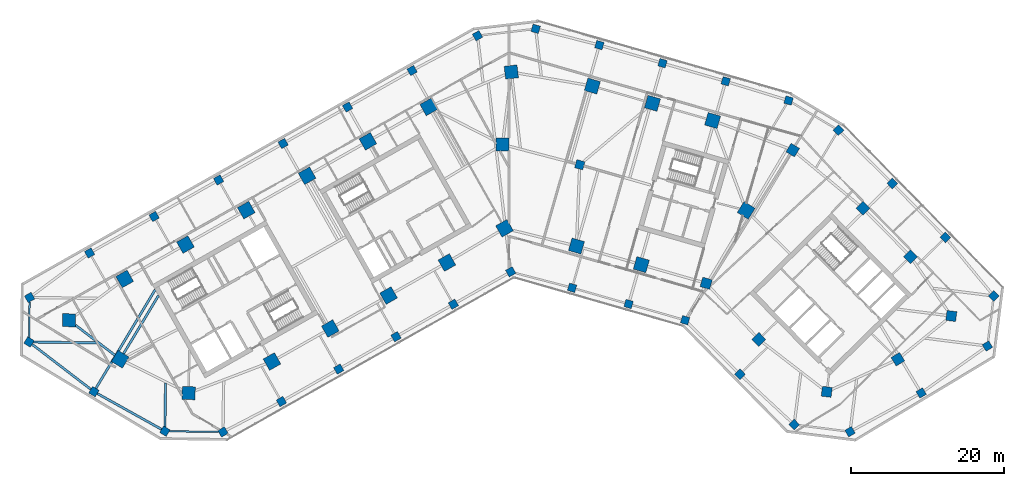
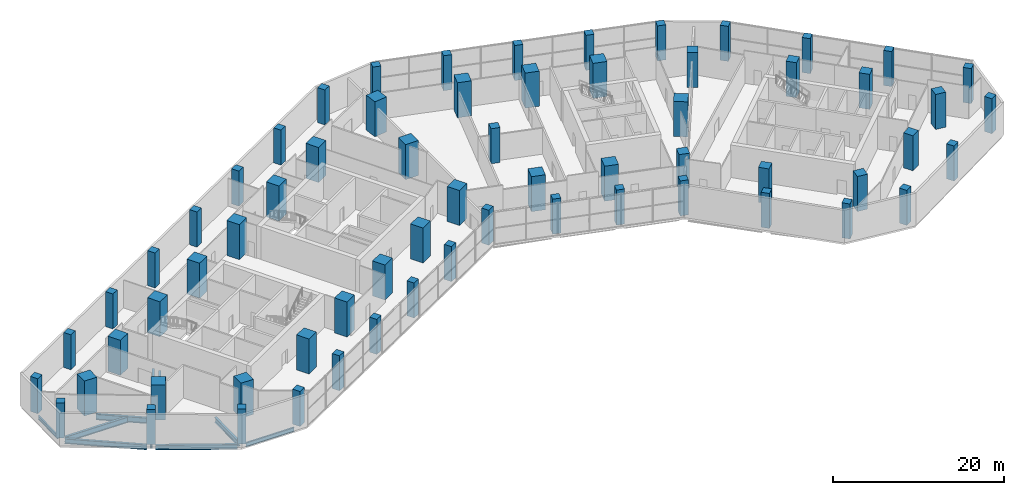
# One storey, part 1 of 18: 65 columns, 9 beams.
"""IFC4 building model written with IfcOpenShell, lengths in metres."""

from ifc_helpers import new_model, si_unit, direction, frame, origin, origin_2d, place, context, subcontext, project, spatial, rectangle, i_section, extrude, material, material_profile, profile_set, type_object, element, save


model = new_model("IFC4")

# Units and contexts
model_context = context("Model", 3, precision=1e-05, world=origin(), true_north=direction((0.0, 1.0)))
body_context = subcontext(model_context, "Body", "Model", "MODEL_VIEW")
ifc_project = project(units=[si_unit("LENGTHUNIT", "METRE"), si_unit("AREAUNIT", "SQUARE_METRE"), si_unit("VOLUMEUNIT", "CUBIC_METRE"), si_unit("PLANEANGLEUNIT", "RADIAN"), si_unit("MASSUNIT", "GRAM", prefix="KILO")], contexts=[model_context])

# Site, building, storey
site_placement = place(None, origin())
site = spatial("IfcSite", under=ifc_project, at=site_placement, CompositionType="ELEMENT")
building_placement = place(site_placement, origin())
building = spatial("IfcBuilding", under=site, at=building_placement, Name="Binnacle Exchange Tower", CompositionType="ELEMENT")
storey_placement = place(building_placement, frame((0.0, 0.0, 11.5)))
storey = spatial("IfcBuildingStorey", under=building, at=storey_placement, Name="L02", CompositionType="ELEMENT", Elevation=11.5)

# Columns
ifc_material_1 = material(Name="Concrete C60/75", Category="concrete")
ifc_material_profile_1 = material_profile(ifc_material_1, rectangle(XDim=1.10009765625, YDim=1.10009765625, at=origin_2d()), Name="Column 1100x1100 C60/75")
ifc_profile_set_1 = profile_set([ifc_material_profile_1], Name="Concrete C60/75")
column_type_1 = type_object("IfcColumnType", Name="Column 1100x1100 C60/75", PredefinedType="COLUMN", material=ifc_profile_set_1)
column_placement = place(storey_placement, frame((9.240966796875, 57.35009765625, 0.0), z_axis=(0.0, 0.0, 1.0), x_axis=(0.961261695938, -0.275637355817, 0.0)))
element("IfcColumn", 1, at=column_placement, inside=storey, type_object=column_type_1, Name="S:COL:C19:L02", PredefinedType="COLUMN", context=body_context, shape_type="SweptSolid", body=[
    extrude(rectangle(XDim=1.10009765625, YDim=1.10009765625, at=origin_2d()), origin(), (0.0, 0.0, 1.0), 5.0),
])
ifc_material_2 = material(Name="Concrete C70/85", Category="concrete")
ifc_material_profile_2 = material_profile(ifc_material_2, rectangle(XDim=1.300048828125, YDim=1.300048828125, at=origin_2d()), Name="Mega column 1300x1300 C70/85")
ifc_profile_set_2 = profile_set([ifc_material_profile_2], Name="Concrete C70/85")
column_type_2 = type_object("IfcColumnType", Name="Mega column 1300x1300 C70/85", PredefinedType="COLUMN", material=ifc_profile_set_2)
for number, where, z_axis, x_axis, name in (
    (2, (37.0849609375, 59.262451171875, 0.0), (0.0, 0.0, 1.0), (-0.859406411501, 0.511293086077, 0.0), "S:COL:MC57:L02"),
    (3, (25.766845703125, 41.85986328125, 0.0), (0.0, 0.0, 1.0), (0.961261695938, -0.275637355817, 0.0), "S:COL:MC56:L02"),
    (4, (32.64111328125, 34.530029296875, 0.0), (0.0, 0.0, 1.0), (0.7009092643, -0.713250449154, 0.0), "S:COL:MC59:L02"),
    (5, (41.519775390625, 27.6748046875, 0.0), (0.0, 0.0, 1.0), (0.99200494968, -0.126198969136, 0.0), "S:COL:MC61:L02"),
    (6, (50.81201171875, 31.930908203125, 0.0), (0.0, 0.0, 1.0), (0.857167300702, 0.51503807491, 0.0), "S:COL:MC63:L02"),
    (7, (57.799072265625, 37.5810546875, 0.0), (0.0, 0.0, 1.0), (0.126198969136, 0.99200494968, 0.0), "S:COL:MC62:L02"),
    (8, (52.466796875, 45.33935546875, 0.0), (0.0, 0.0, 1.0), (-0.7009092643, 0.713250449154, 0.0), "S:COL:MC60:L02"),
    (9, (46.248291015625, 51.667236328125, 0.0), (0.0, 0.0, 1.0), (-0.7009092643, 0.713250449154, 0.0), "S:COL:MC58:L02"),
):
    element("IfcColumn", number, at=place(storey_placement, frame(where, z_axis=z_axis, x_axis=x_axis)), inside=storey, type_object=column_type_2, Name=name, PredefinedType="COLUMN", context=body_context, shape_type="SweptSolid", body=[
        extrude(rectangle(XDim=1.300048828125, YDim=1.300048828125, at=origin_2d()), origin(), (0.0, 0.0, 1.0), 5.0),
    ])
ifc_material_profile_3 = material_profile(ifc_material_2, rectangle(XDim=1.699951171875, YDim=1.699951171875, at=origin_2d()), Name="Mega column 1700x1700 C70/85")
ifc_profile_set_3 = profile_set([ifc_material_profile_3], Name="Concrete C70/85")
column_type_3 = type_object("IfcColumnType", Name="Mega column 1700x1700 C70/85", PredefinedType="COLUMN", material=ifc_profile_set_3)
for number, where, z_axis, x_axis, name in (
    (10, (26.602783203125, 63.12353515625, 0.0), (0.0, 0.0, 1.0), (-0.961261695938, 0.275637355817, 0.0), "S:COL:MC52:L02"),
    (11, (18.746337890625, 65.376220703125, 0.0), (0.0, 0.0, 1.0), (-0.961261695938, 0.275637355817, 0.0), "S:COL:MC50:L02"),
    (12, (10.889892578125, 67.62890625, 0.0), (0.0, 0.0, 1.0), (-0.961261695938, 0.275637355817, 0.0), "S:COL:MC48:L02"),
    (13, (0.300048828125, 69.464111328125, 0.0), (0.0, 0.0, 1.0), (-0.993068456955, -0.117537397458, 0.0), "S:COL:MC47:L02"),
    (14, (-10.4951171875, 64.901611328125, 0.0), (0.0, 0.0, 1.0), (-0.87035569594, -0.492423560103, 0.0), "S:COL:MC38:L02"),
    (15, (-18.44140625, 60.406005859375, 0.0), (0.0, 0.0, 1.0), (-0.87035569594, -0.492423560103, 0.0), "S:COL:MC29:L02"),
    (16, (-26.3876953125, 55.91015625, 0.0), (0.0, 0.0, 1.0), (-0.87035569594, -0.492423560103, 0.0), "S:COL:MC21:L02"),
    (17, (-34.333740234375, 51.414306640625, 0.0), (0.0, 0.0, 1.0), (-0.87035569594, -0.492423560103, 0.0), "S:COL:MC13:L02"),
    (18, (-42.280029296875, 46.918701171875, 0.0), (0.0, 0.0, 1.0), (-0.87035569594, -0.492423560103, 0.0), "S:COL:MC08:L02"),
    (19, (-50.226318359375, 42.4228515625, 0.0), (0.0, 0.0, 1.0), (-0.87035569594, -0.492423560103, 0.0), "S:COL:MC04:L02"),
    (20, (-57.492919921875, 37.02734375, 0.0), (0.0, 0.0, 1.0), (-0.013089595571, -0.999914327574, 0.0), "S:COL:MC02:L02"),
    (21, (-50.81201171875, 31.930908203125, 0.0), (0.0, 0.0, 1.0), (0.857167300702, -0.51503807491, 0.0), "S:COL:MC01:L02"),
    (22, (-41.857666015625, 27.494873046875, 0.0), (0.0, 0.0, 1.0), (0.999914327574, -0.013089595571, 0.0), "S:COL:MC03:L02"),
    (23, (-30.9755859375, 31.63525390625, 0.0), (0.0, 0.0, 1.0), (0.87035569594, 0.492423560103, 0.0), "S:COL:MC07:L02"),
    (24, (-23.35595703125, 35.9462890625, 0.0), (0.0, 0.0, 1.0), (0.87035569594, 0.492423560103, 0.0), "S:COL:MC16:L02"),
    (25, (-15.736328125, 40.257080078125, 0.0), (0.0, 0.0, 1.0), (0.87035569594, 0.492423560103, 0.0), "S:COL:MC24:L02"),
    (26, (-8.116943359375, 44.568115234375, 0.0), (0.0, 0.0, 1.0), (0.87035569594, 0.492423560103, 0.0), "S:COL:MC35:L02"),
    (27, (-0.5908203125, 49.04443359375, 0.0), (0.0, 0.0, 1.0), (0.87035569594, 0.492423560103, 0.0), "S:COL:MC46:L02"),
    (28, (8.8095703125, 46.722412109375, 0.0), (0.0, 0.0, 1.0), (0.961261695938, -0.275637355817, 0.0), "S:COL:MC49:L02"),
    (29, (17.2880859375, 44.291015625, 0.0), (0.0, 0.0, 1.0), (0.961261695938, -0.275637355817, 0.0), "S:COL:MC51:L02"),
    (30, (30.989501953125, 51.38623046875, 0.0), (0.0, 0.0, 1.0), (0.529919264233, 0.848048096156, 0.0), "S:COL:MC55:L02"),
    (31, (-0.85009765625, 60.0, 0.0), (0.0, 0.0, 1.0), (0.0, 1.0, 0.0), "S:COL:MC45:L02"),
):
    element("IfcColumn", number, at=place(storey_placement, frame(where, z_axis=z_axis, x_axis=x_axis)), inside=storey, type_object=column_type_3, Name=name, PredefinedType="COLUMN", context=body_context, shape_type="SweptSolid", body=[
        extrude(rectangle(XDim=1.699951171875, YDim=1.699951171875, at=origin_2d()), origin(), (0.0, 0.0, 1.0), 5.0),
    ])
ifc_material_3 = material(Name="Concrete C50/60", Category="concrete")
ifc_material_profile_4 = material_profile(ifc_material_3, rectangle(XDim=1.0, YDim=1.0, at=origin_2d()), Name="Podium column 1000x1000 C50/60")
ifc_profile_set_4 = profile_set([ifc_material_profile_4], Name="Concrete C50/60")
column_type_4 = type_object("IfcColumnType", Name="Podium column 1000x1000 C50/60", PredefinedType="COLUMN", material=ifc_profile_set_4)
for number, where, z_axis, x_axis, name in (
    (32, (36.5283203125, 65.739013671875, 0.0), (0.0, 0.0, 1.0), (-0.961261695938, 0.275637355817, 0.0), "S:COL:C25:L02"),
    (33, (28.31591796875, 68.249755859375, 0.0), (0.0, 0.0, 1.0), (-0.961261695938, 0.275637355817, 0.0), "S:COL:C24:L02"),
    (34, (20.0625, 70.616455078125, 0.0), (0.0, 0.0, 1.0), (-0.961261695938, 0.275637355817, 0.0), "S:COL:C22:L02"),
    (35, (11.808837890625, 72.983154296875, 0.0), (0.0, 0.0, 1.0), (-0.961261695938, 0.275637355817, 0.0), "S:COL:C20:L02"),
    (36, (3.486083984375, 75.109619140625, 0.0), (0.0, 0.0, 1.0), (-0.961261695938, 0.275637355817, 0.0), "S:COL:C18:L02"),
    (37, (-4.115966796875, 74.209716796875, 0.0), (0.0, 0.0, 1.0), (-0.87035569594, -0.492423560103, 0.0), "S:COL:C16:L02"),
    (38, (-12.66748046875, 69.65869140625, 0.0), (0.0, 0.0, 1.0), (-0.87035569594, -0.492423560103, 0.0), "S:COL:C15:L02"),
    (39, (-21.095703125, 64.89013671875, 0.0), (0.0, 0.0, 1.0), (-0.87035569594, -0.492423560103, 0.0), "S:COL:C13:L02"),
    (40, (-29.524169921875, 60.12158203125, 0.0), (0.0, 0.0, 1.0), (-0.87035569594, -0.492423560103, 0.0), "S:COL:C11:L02"),
    (41, (-37.95263671875, 55.35302734375, 0.0), (0.0, 0.0, 1.0), (-0.87035569594, -0.492423560103, 0.0), "S:COL:C10:L02"),
    (42, (-46.381103515625, 50.58447265625, 0.0), (0.0, 0.0, 1.0), (-0.87035569594, -0.492423560103, 0.0), "S:COL:C08:L02"),
    (43, (-54.8095703125, 45.81591796875, 0.0), (0.0, 0.0, 1.0), (-0.87035569594, -0.492423560103, 0.0), "S:COL:C06:L02"),
    (44, (-62.64697265625, 40.0029296875, 0.0), (0.0, 0.0, 1.0), (-0.87035569594, -0.492423560103, 0.0), "S:COL:C05:L02"),
    (45, (-62.722900390625, 34.18798828125, 0.0), (0.0, 0.0, 1.0), (0.857167300702, -0.51503807491, 0.0), "S:COL:C03:L02"),
    (46, (-54.244873046875, 27.69384765625, 0.0), (0.0, 0.0, 1.0), (0.857167300702, -0.51503807491, 0.0), "S:COL:C02:L02"),
    (47, (-44.968505859375, 22.5283203125, 0.0), (0.0, 0.0, 1.0), (0.857167300702, -0.51503807491, 0.0), "S:COL:C01:L02"),
    (48, (-37.378173828125, 22.428955078125, 0.0), (0.0, 0.0, 1.0), (0.87035569594, 0.492423560103, 0.0), "S:COL:C04:L02"),
    (49, (-29.740478515625, 26.4052734375, 0.0), (0.0, 0.0, 1.0), (0.87035569594, 0.492423560103, 0.0), "S:COL:C07:L02"),
    (50, (-22.250732421875, 30.642822265625, 0.0), (0.0, 0.0, 1.0), (0.87035569594, 0.492423560103, 0.0), "S:COL:C09:L02"),
    (51, (-14.760986328125, 34.88037109375, 0.0), (0.0, 0.0, 1.0), (0.87035569594, 0.492423560103, 0.0), "S:COL:C12:L02"),
    (52, (-7.27099609375, 39.117919921875, 0.0), (0.0, 0.0, 1.0), (0.87035569594, 0.492423560103, 0.0), "S:COL:C14:L02"),
    (53, (0.21875, 43.35546875, 0.0), (0.0, 0.0, 1.0), (0.87035569594, 0.492423560103, 0.0), "S:COL:C17:L02"),
    (54, (8.242919921875, 41.26708984375, 0.0), (0.0, 0.0, 1.0), (0.961261695938, -0.275637355817, 0.0), "S:COL:C21:L02"),
    (55, (15.6279296875, 39.1494140625, 0.0), (0.0, 0.0, 1.0), (0.961261695938, -0.275637355817, 0.0), "S:COL:C23:L02"),
    (56, (23.01318359375, 37.031982421875, 0.0), (0.0, 0.0, 1.0), (0.961261695938, -0.275637355817, 0.0), "S:COL:C26:L02"),
    (57, (30.17236328125, 29.9658203125, 0.0), (0.0, 0.0, 1.0), (0.7009092643, -0.713250449154, 0.0), "S:COL:C29:L02"),
    (58, (37.26708984375, 23.38818359375, 0.0), (0.0, 0.0, 1.0), (0.7009092643, -0.713250449154, 0.0), "S:COL:C32:L02"),
    (59, (44.563720703125, 22.4599609375, 0.0), (0.0, 0.0, 1.0), (0.857167300702, 0.51503807491, 0.0), "S:COL:C35:L02"),
    (60, (53.86376953125, 27.52294921875, 0.0), (0.0, 0.0, 1.0), (0.857167300702, 0.51503807491, 0.0), "S:COL:C34:L02"),
    (61, (62.52001953125, 33.65771484375, 0.0), (0.0, 0.0, 1.0), (0.857167300702, 0.51503807491, 0.0), "S:COL:C33:L02"),
    (62, (63.35205078125, 40.197509765625, 0.0), (0.0, 0.0, 1.0), (-0.7009092643, 0.713250449154, 0.0), "S:COL:C31:L02"),
    (63, (57.02197265625, 47.8515625, 0.0), (0.0, 0.0, 1.0), (-0.7009092643, 0.713250449154, 0.0), "S:COL:C30:L02"),
    (64, (50.085693359375, 54.91015625, 0.0), (0.0, 0.0, 1.0), (-0.7009092643, 0.713250449154, 0.0), "S:COL:C28:L02"),
    (65, (43.04248046875, 61.86328125, 0.0), (0.0, 0.0, 1.0), (-0.7009092643, 0.713250449154, 0.0), "S:COL:C27:L02"),
):
    element("IfcColumn", number, at=place(storey_placement, frame(where, z_axis=z_axis, x_axis=x_axis)), inside=storey, type_object=column_type_4, Name=name, PredefinedType="COLUMN", context=body_context, shape_type="SweptSolid", body=[
        extrude(rectangle(XDim=1.0, YDim=1.0, at=origin_2d()), origin(), (0.0, 0.0, 1.0), 5.0),
    ])

# Beams
ifc_material_4 = material(Name="Steel S355 (SHN355)", Category="steel")
ifc_material_profile_5 = material_profile(ifc_material_4, i_section(OverallWidth=0.199951171875, OverallDepth=0.5, WebThickness=0.010009765625, FlangeThickness=0.01611328125, FilletRadius=0.02001953125, at=origin_2d()), Name="H 500x200x10x16")
ifc_profile_set_5 = profile_set([ifc_material_profile_5], Name="Steel S355 (SHN355)")
beam_type_1 = type_object("IfcBeamType", Name="Edge girder H 500x200x10x16 Steel S355 (SHN355)", PredefinedType="SPANDREL", material=ifc_profile_set_5)
beam_1_placement = place(storey_placement, frame((-62.71533203125, 34.7666015625, -0.60009765625), z_axis=(0.013051255038, 0.999914828744, 0.0), x_axis=(-0.999914828744, 0.013051255038, 0.0)))
element("IfcBeam", 66, at=beam_1_placement, inside=storey, type_object=beam_type_1, Name="S:BM:edge:L02:014", PredefinedType="SPANDREL", context=body_context, shape_type="SweptSolid", body=[
    extrude(i_section(OverallWidth=0.199951171875, OverallDepth=0.5, WebThickness=0.010009765625, FlangeThickness=0.01611328125, FilletRadius=0.02001953125, at=origin_2d()), origin(), (0.0, 0.0, 1.0), 4.657958984375),
])
ifc_material_profile_6 = material_profile(ifc_material_4, i_section(OverallWidth=0.200927734375, OverallDepth=0.60595703125, WebThickness=0.011962890625, FlangeThickness=0.02001953125, FilletRadius=0.02197265625, at=origin_2d()), Name="H 606x201x12x20")
ifc_profile_set_6 = profile_set([ifc_material_profile_6], Name="Steel S355 (SHN355)")
beam_type_2 = type_object("IfcBeamType", Name="Edge girder H 606x201x12x20 Steel S355 (SHN355)", PredefinedType="SPANDREL", material=ifc_profile_set_6)
beam_2_placement = place(storey_placement, frame((-37.95703125, 22.4365234375, -0.653076171875), z_axis=(-0.999914291463, 0.013092353811, 0.0), x_axis=(-0.013092353811, -0.999914291463, 0.0)))
element("IfcBeam", 67, at=beam_2_placement, inside=storey, type_object=beam_type_2, Name="S:BM:edge:L02:025", PredefinedType="SPANDREL", context=body_context, shape_type="SweptSolid", body=[
    extrude(i_section(OverallWidth=0.200927734375, OverallDepth=0.60595703125, WebThickness=0.011962890625, FlangeThickness=0.02001953125, FilletRadius=0.02197265625, at=origin_2d()), origin(), (0.0, 0.0, 1.0), 6.433349609375),
])
ifc_material_profile_7 = material_profile(ifc_material_4, i_section(OverallWidth=0.300048828125, OverallDepth=0.699951171875, WebThickness=0.012939453125, FlangeThickness=0.02392578125, FilletRadius=0.028076171875, at=origin_2d()), Name="H 700x300x13x24")
ifc_profile_set_7 = profile_set([ifc_material_profile_7], Name="Steel S355 (SHN355)")
beam_type_3 = type_object("IfcBeamType", Name="Edge girder H 700x300x13x24 Steel S355 (SHN355)", PredefinedType="SPANDREL", material=ifc_profile_set_7)
beam_3_placement = place(storey_placement, frame((-54.644287109375, 27.999755859375, -0.699951171875), z_axis=(-0.793871146685, 0.608086015676, 0.0), x_axis=(-0.608086015676, -0.793871146685, 0.0)))
element("IfcBeam", 68, at=beam_3_placement, inside=storey, type_object=beam_type_3, Name="S:BM:edge:L02:017", PredefinedType="SPANDREL", context=body_context, shape_type="SweptSolid", body=[
    extrude(i_section(OverallWidth=0.300048828125, OverallDepth=0.699951171875, WebThickness=0.012939453125, FlangeThickness=0.02392578125, FilletRadius=0.028076171875, at=origin_2d()), origin(), (0.0, 0.0, 1.0), 9.673095703125),
])
beam_4_placement = place(storey_placement, frame((-45.40576171875, 22.771728515625, -0.699951171875), z_axis=(-0.873676660619, 0.486507032518, 0.0), x_axis=(-0.486507032518, -0.873676660619, 0.0)))
element("IfcBeam", 69, at=beam_4_placement, inside=storey, type_object=beam_type_3, Name="S:BM:edge:L02:022", PredefinedType="SPANDREL", context=body_context, shape_type="SweptSolid", body=[
    extrude(i_section(OverallWidth=0.300048828125, OverallDepth=0.699951171875, WebThickness=0.012939453125, FlangeThickness=0.02392578125, FilletRadius=0.028076171875, at=origin_2d()), origin(), (0.0, 0.0, 1.0), 9.616943359375),
])
ifc_material_profile_8 = material_profile(ifc_material_4, i_section(OverallWidth=0.302001953125, OverallDepth=0.80810546875, WebThickness=0.01611328125, FlangeThickness=0.030029296875, FilletRadius=0.028076171875, at=origin_2d()), Name="H 808x302x16x30")
ifc_profile_set_8 = profile_set([ifc_material_profile_8], Name="Steel S355 (SHN355)")
beam_type_4 = type_object("IfcBeamType", Name="Edge girder H 808x302x16x30 Steel S355 (SHN355)", PredefinedType="SPANDREL", material=ifc_profile_set_8)
beam_5_placement = place(storey_placement, frame((-56.6513671875, 36.38525390625, -0.75390625), z_axis=(0.795093040263, -0.606487474994, 0.0), x_axis=(0.606487474994, 0.795093040263, 0.0)))
element("IfcBeam", 70, at=beam_5_placement, inside=storey, type_object=beam_type_4, Name="S:BM:edge:L02:016", PredefinedType="SPANDREL", context=body_context, shape_type="SweptSolid", body=[
    extrude(i_section(OverallWidth=0.302001953125, OverallDepth=0.80810546875, WebThickness=0.01611328125, FlangeThickness=0.030029296875, FilletRadius=0.028076171875, at=origin_2d()), origin(), (0.0, 0.0, 1.0), 6.489013671875),
])
ifc_material_profile_9 = material_profile(ifc_material_4, i_section(OverallWidth=0.300048828125, OverallDepth=0.699951171875, WebThickness=0.012939453125, FlangeThickness=0.02392578125, FilletRadius=0.028076171875, at=origin_2d()), Name="H 700x300x13x24")
ifc_profile_set_9 = profile_set([ifc_material_profile_9], Name="Steel S355 (SHN355)")
beam_type_5 = type_object("IfcBeamType", Name="Floor beam H 700x300x13x24 Steel S355 (SHN355)", PredefinedType="BEAM", material=ifc_profile_set_9)
beam_6_placement = place(storey_placement, frame((-44.9609375, 23.107177734375, -0.699951171875), z_axis=(0.013063826795, 0.999914664574, 0.0), x_axis=(-0.999914664574, 0.013063826795, 0.0)))
element("IfcBeam", 71, at=beam_6_placement, inside=storey, type_object=beam_type_5, Name="S:BM:cross:L02:082", PredefinedType="BEAM", context=body_context, shape_type="SweptSolid", body=[
    extrude(i_section(OverallWidth=0.300048828125, OverallDepth=0.699951171875, WebThickness=0.012939453125, FlangeThickness=0.02392578125, FilletRadius=0.028076171875, at=origin_2d()), origin(), (0.0, 0.0, 1.0), 5.7373046875),
])
ifc_material_profile_10 = material_profile(ifc_material_4, i_section(OverallWidth=0.302001953125, OverallDepth=0.80810546875, WebThickness=0.01611328125, FlangeThickness=0.030029296875, FilletRadius=0.028076171875, at=origin_2d()), Name="H 808x302x16x30")
ifc_profile_set_10 = profile_set([ifc_material_profile_10], Name="Steel S355 (SHN355)")
beam_type_6 = type_object("IfcBeamType", Name="Floor beam H 808x302x16x30 Steel S355 (SHN355)", PredefinedType="BEAM", material=ifc_profile_set_10)
beam_7_placement = place(storey_placement, frame((-62.144287109375, 34.180419921875, -0.75390625), z_axis=(0.999914070306, -0.013109233529, 0.0), x_axis=(0.013109233529, 0.999914070306, 0.0)))
element("IfcBeam", 72, at=beam_7_placement, inside=storey, type_object=beam_type_6, Name="S:BM:cross:L02:076", PredefinedType="BEAM", context=body_context, shape_type="SweptSolid", body=[
    extrude(i_section(OverallWidth=0.302001953125, OverallDepth=0.80810546875, WebThickness=0.01611328125, FlangeThickness=0.030029296875, FilletRadius=0.028076171875, at=origin_2d()), origin(), (0.0, 0.0, 1.0), 8.380615234375),
])
beam_8_placement = place(storey_placement, frame((-50.374267578125, 32.659423828125, -0.75390625), z_axis=(0.515042389499, 0.857164708221, 0.0), x_axis=(-0.857164708221, 0.515042389499, 0.0)))
element("IfcBeam", 73, at=beam_8_placement, inside=storey, type_object=beam_type_6, Name="S:BM:cross:L02:080", PredefinedType="BEAM", context=body_context, shape_type="SweptSolid", body=[
    extrude(i_section(OverallWidth=0.302001953125, OverallDepth=0.80810546875, WebThickness=0.01611328125, FlangeThickness=0.030029296875, FilletRadius=0.028076171875, at=origin_2d()), origin(), (0.0, 0.0, 1.0), 8.865234375),
])
ifc_material_profile_11 = material_profile(ifc_material_4, i_section(OverallWidth=0.302978515625, OverallDepth=0.91796875, WebThickness=0.01904296875, FlangeThickness=0.037109375, FilletRadius=0.028076171875, at=origin_2d()), Name="H 918x303x19x37")
ifc_profile_set_11 = profile_set([ifc_material_profile_11], Name="Steel S355 (SHN355)")
beam_type_7 = type_object("IfcBeamType", Name="Floor beam H 918x303x19x37 Steel S355 (SHN355)", PredefinedType="BEAM", material=ifc_profile_set_11)
beam_9_placement = place(storey_placement, frame((-53.9873046875, 28.122314453125, -0.80908203125), z_axis=(0.515027805522, 0.857173471089, 0.0), x_axis=(-0.857173471089, 0.515027805522, 0.0)))
element("IfcBeam", 74, at=beam_9_placement, inside=storey, type_object=beam_type_7, Name="S:BM:cross:L02:079", PredefinedType="BEAM", context=body_context, shape_type="SweptSolid", body=[
    extrude(i_section(OverallWidth=0.302978515625, OverallDepth=0.91796875, WebThickness=0.01904296875, FlangeThickness=0.037109375, FilletRadius=0.028076171875, at=origin_2d()), origin(), (0.0, 0.0, 1.0), 15.04541015625),
])

save(model, "model.ifc")
